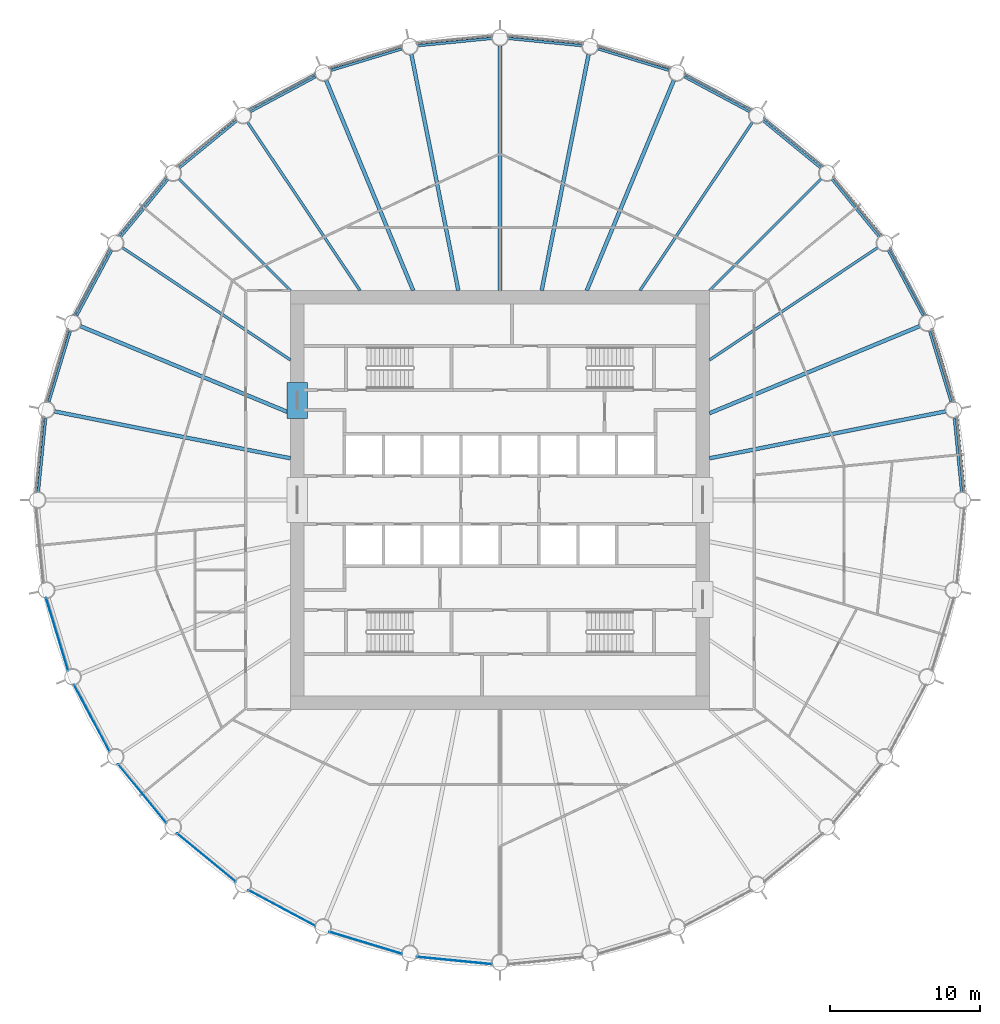
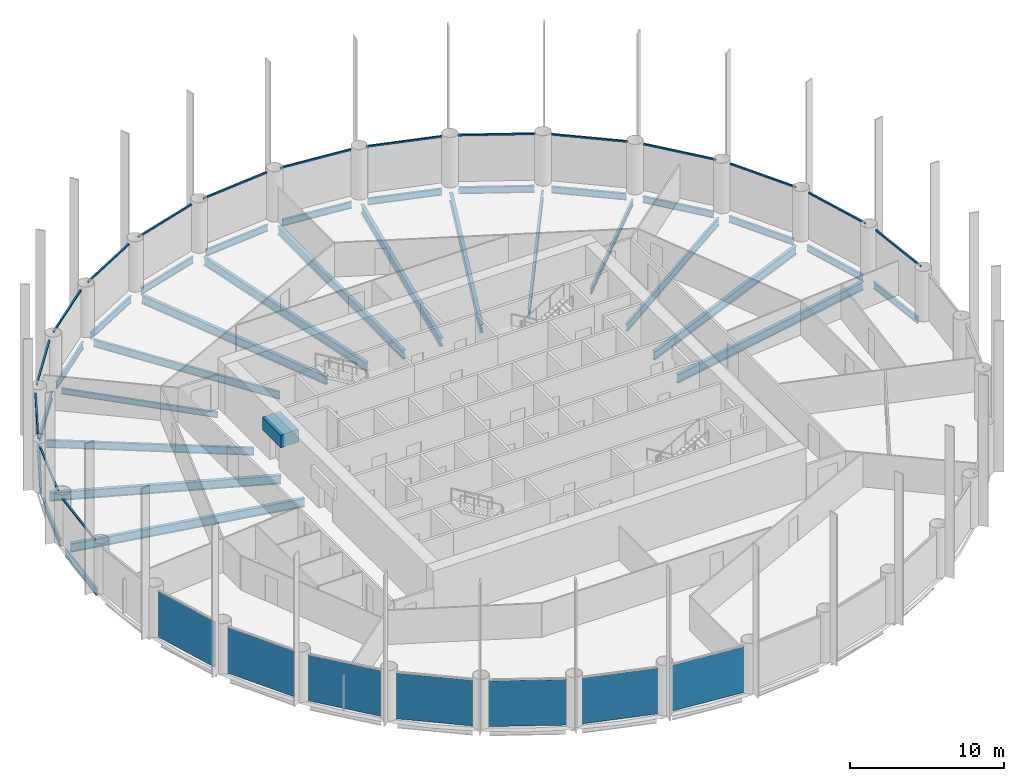
# One storey, part 2 of 8: 32 beams, 16 members, 7 plates, 23 elements without a shape of their own.
"""IFC4 building model written with IfcOpenShell, lengths in metres."""

from ifc_helpers import new_model, si_unit, direction, frame, origin, origin_2d, place, context, subcontext, project, spatial, rectangle, i_section, extrude, material, layer, layer_set, material_profile, profile_set, type_object, element, aggregate, save


model = new_model("IFC4")

# Units and contexts
model_context = context("Model", 3, precision=1e-05, world=origin(), true_north=direction((0.0, 1.0)))
body_context = subcontext(model_context, "Body", "Model", "MODEL_VIEW")
ifc_project = project(units=[si_unit("LENGTHUNIT", "METRE"), si_unit("AREAUNIT", "SQUARE_METRE"), si_unit("VOLUMEUNIT", "CUBIC_METRE"), si_unit("PLANEANGLEUNIT", "RADIAN"), si_unit("MASSUNIT", "GRAM", prefix="KILO")], contexts=[model_context])

# Site, building, storey
site_placement = place(None, origin())
site = spatial("IfcSite", under=ifc_project, at=site_placement, CompositionType="ELEMENT")
building_placement = place(site_placement, origin())
building = spatial("IfcBuilding", under=site, at=building_placement, Name="Corvane Civic Tower", CompositionType="ELEMENT")
storey_placement = place(building_placement, frame((0.0, 0.0, 176.0)))
storey = spatial("IfcBuildingStorey", under=building, at=storey_placement, Name="L41", CompositionType="ELEMENT", Elevation=176.0)

# Beams
ifc_material_1 = material(Name="Concrete C60/75", Category="concrete")
ifc_material_profile_1 = material_profile(ifc_material_1, rectangle(XDim=1.35009765625, YDim=1.0, at=origin_2d()), Name="COUPLING BEAM 1350X1000")
ifc_profile_set_1 = profile_set([ifc_material_profile_1], Name="Concrete C60/75")
beam_type_1 = type_object("IfcBeamType", Name="COUPLING BEAM COUPLING BEAM 1350X1000", PredefinedType="BEAM", material=ifc_profile_set_1)
beam_1_placement = place(storey_placement, frame((-13.550048828125, 5.449951171875, 2.60009765625), z_axis=(0.0, 1.0, 0.0), x_axis=(-1.0, 0.0, 0.0)))
element("IfcBeam", 1, at=beam_1_placement, inside=storey, type_object=beam_type_1, Name="BM-L41-cpl-CW-WN", PredefinedType="BEAM", context=body_context, shape_type="SweptSolid", body=[
    extrude(rectangle(XDim=1.35009765625, YDim=1.0, at=origin_2d()), origin(), (0.0, 0.0, 1.0), 2.400146484375),
])
ifc_material_2 = material(Name="Steel ASTM A992 Gr 50", Category="steel")
ifc_material_profile_2 = material_profile(ifc_material_2, i_section(OverallWidth=0.165771484375, OverallDepth=0.5283203125, WebThickness=0.009765625, FlangeThickness=0.013671875, at=origin_2d()), Name="W21X50")
ifc_profile_set_2 = profile_set([ifc_material_profile_2], Name="Steel ASTM A992 Gr 50")
beam_type_2 = type_object("IfcBeamType", Name="EDGE BEAM W21X50", PredefinedType="BEAM", material=ifc_profile_set_2)
beam_2_placement = place(storey_placement, frame((0.54736328125, 30.845947265625, -0.564208984375), z_axis=(0.995186236294, -0.09800181167, 0.0), x_axis=(0.09800181167, 0.995186236294, 0.0)))
element("IfcBeam", 2, at=beam_2_placement, inside=storey, type_object=beam_type_2, Name="BM-L41-E01", PredefinedType="BEAM", context=body_context, shape_type="SweptSolid", body=[
    extrude(i_section(OverallWidth=0.165771484375, OverallDepth=0.5283203125, WebThickness=0.009765625, FlangeThickness=0.013671875, at=origin_2d()), origin(), (0.0, 0.0, 1.0), 4.95751953125),
])
beam_3_placement = place(storey_placement, frame((6.5546875, 30.146484375, -0.564208984375), z_axis=(0.956944842086, -0.290269821381, 0.0), x_axis=(0.290269821381, 0.956944842086, 0.0)))
element("IfcBeam", 3, at=beam_3_placement, inside=storey, type_object=beam_type_2, Name="BM-L41-E02", PredefinedType="BEAM", context=body_context, shape_type="SweptSolid", body=[
    extrude(i_section(OverallWidth=0.165771484375, OverallDepth=0.5283203125, WebThickness=0.009765625, FlangeThickness=0.013671875, at=origin_2d()), origin(), (0.0, 0.0, 1.0), 4.957275390625),
])
for number, where, z_axis, x_axis, name in (
    (4, (12.31005859375, 28.28857421875, -0.564208984375), (0.881921784846, -0.471395763042, 0.0), (0.471395763042, 0.881921784846, 0.0), "BM-L41-E03"),
    (5, (17.59228515625, 25.343505859375, -0.564208984375), (0.77301516208, -0.634387546532, 0.0), (0.634387546532, 0.77301516208, 0.0), "BM-L41-E04"),
    (6, (22.198486328125, 21.424560546875, -0.564208984375), (0.634387546532, -0.77301516208, 0.0), (0.77301516208, 0.634387546532, 0.0), "BM-L41-E05"),
    (7, (25.95166015625, 16.68212890625, -0.564208984375), (0.471395763042, -0.881921784846, 0.0), (0.881921784846, 0.471395763042, 0.0), "BM-L41-E06"),
):
    element("IfcBeam", number, at=place(storey_placement, frame(where, z_axis=z_axis, x_axis=x_axis)), inside=storey, type_object=beam_type_2, Name=name, PredefinedType="BEAM", context=body_context, shape_type="SweptSolid", body=[
        extrude(i_section(OverallWidth=0.165771484375, OverallDepth=0.5283203125, WebThickness=0.009765625, FlangeThickness=0.013671875, at=origin_2d()), origin(), (0.0, 0.0, 1.0), 4.95751953125),
    ])
beam_4_placement = place(storey_placement, frame((28.70751953125, 11.298583984375, -0.564208984375), z_axis=(0.290269821381, -0.956944842086, 0.0), x_axis=(0.956944842086, 0.290269821381, 0.0)))
element("IfcBeam", 8, at=beam_4_placement, inside=storey, type_object=beam_type_2, Name="BM-L41-E07", PredefinedType="BEAM", context=body_context, shape_type="SweptSolid", body=[
    extrude(i_section(OverallWidth=0.165771484375, OverallDepth=0.5283203125, WebThickness=0.009765625, FlangeThickness=0.013671875, at=origin_2d()), origin(), (0.0, 0.0, 1.0), 4.957275390625),
])
for number, where, z_axis, x_axis, name in (
    (9, (30.360107421875, 5.48095703125, -0.564208984375), (0.09800181167, -0.995186236294, 0.0), (0.995186236294, 0.09800181167, 0.0), "BM-L41-E08"),
    (10, (-30.845947265625, 0.54736328125, -0.564208984375), (0.09800181167, 0.995186236294, 0.0), (-0.995186236294, 0.09800181167, 0.0), "BM-L41-E25"),
):
    element("IfcBeam", number, at=place(storey_placement, frame(where, z_axis=z_axis, x_axis=x_axis)), inside=storey, type_object=beam_type_2, Name=name, PredefinedType="BEAM", context=body_context, shape_type="SweptSolid", body=[
        extrude(i_section(OverallWidth=0.165771484375, OverallDepth=0.5283203125, WebThickness=0.009765625, FlangeThickness=0.013671875, at=origin_2d()), origin(), (0.0, 0.0, 1.0), 4.95751953125),
    ])
beam_5_placement = place(storey_placement, frame((-30.146484375, 6.5546875, -0.564208984375), z_axis=(0.290269821381, 0.956944842086, 0.0), x_axis=(-0.956944842086, 0.290269821381, 0.0)))
element("IfcBeam", 11, at=beam_5_placement, inside=storey, type_object=beam_type_2, Name="BM-L41-E26", PredefinedType="BEAM", context=body_context, shape_type="SweptSolid", body=[
    extrude(i_section(OverallWidth=0.165771484375, OverallDepth=0.5283203125, WebThickness=0.009765625, FlangeThickness=0.013671875, at=origin_2d()), origin(), (0.0, 0.0, 1.0), 4.957275390625),
])
for number, where, z_axis, x_axis, name in (
    (12, (-28.28857421875, 12.31005859375, -0.564208984375), (0.471395763042, 0.881921784846, 0.0), (-0.881921784846, 0.471395763042, 0.0), "BM-L41-E27"),
    (13, (-25.343505859375, 17.59228515625, -0.564208984375), (0.634387546532, 0.77301516208, 0.0), (-0.77301516208, 0.634387546532, 0.0), "BM-L41-E28"),
    (14, (-21.424560546875, 22.198486328125, -0.564208984375), (0.77301516208, 0.634387546532, 0.0), (-0.634387546532, 0.77301516208, 0.0), "BM-L41-E29"),
    (15, (-16.68212890625, 25.95166015625, -0.564208984375), (0.881921784846, 0.471395763042, 0.0), (-0.471395763042, 0.881921784846, 0.0), "BM-L41-E30"),
):
    element("IfcBeam", number, at=place(storey_placement, frame(where, z_axis=z_axis, x_axis=x_axis)), inside=storey, type_object=beam_type_2, Name=name, PredefinedType="BEAM", context=body_context, shape_type="SweptSolid", body=[
        extrude(i_section(OverallWidth=0.165771484375, OverallDepth=0.5283203125, WebThickness=0.009765625, FlangeThickness=0.013671875, at=origin_2d()), origin(), (0.0, 0.0, 1.0), 4.95751953125),
    ])
beam_6_placement = place(storey_placement, frame((-11.298583984375, 28.70751953125, -0.564208984375), z_axis=(0.956944842086, 0.290269821381, 0.0), x_axis=(-0.290269821381, 0.956944842086, 0.0)))
element("IfcBeam", 16, at=beam_6_placement, inside=storey, type_object=beam_type_2, Name="BM-L41-E31", PredefinedType="BEAM", context=body_context, shape_type="SweptSolid", body=[
    extrude(i_section(OverallWidth=0.165771484375, OverallDepth=0.5283203125, WebThickness=0.009765625, FlangeThickness=0.013671875, at=origin_2d()), origin(), (0.0, 0.0, 1.0), 4.957275390625),
])
beam_7_placement = place(storey_placement, frame((-5.48095703125, 30.360107421875, -0.564208984375), z_axis=(0.995186236294, 0.09800181167, 0.0), x_axis=(-0.09800181167, 0.995186236294, 0.0)))
element("IfcBeam", 17, at=beam_7_placement, inside=storey, type_object=beam_type_2, Name="BM-L41-E32", PredefinedType="BEAM", context=body_context, shape_type="SweptSolid", body=[
    extrude(i_section(OverallWidth=0.165771484375, OverallDepth=0.5283203125, WebThickness=0.009765625, FlangeThickness=0.013671875, at=origin_2d()), origin(), (0.0, 0.0, 1.0), 4.95751953125),
])
ifc_material_3 = material(Name="Steel ASTM A992 Gr 50", Category="steel")
ifc_material_profile_3 = material_profile(ifc_material_3, i_section(OverallWidth=0.15283203125, OverallDepth=0.45458984375, WebThickness=0.008056640625, FlangeThickness=0.013427734375, at=origin_2d()), Name="W18X40")
ifc_profile_set_3 = profile_set([ifc_material_profile_3], Name="Steel ASTM A992 Gr 50")
beam_type_3 = type_object("IfcBeamType", Name="FLOOR GIRDER W18X40", PredefinedType="BEAM", material=ifc_profile_set_3)
for number, where, z_axis, x_axis, name in (
    (18, (14.0, 14.0, -0.52734375), (0.707106781187, 0.707106781187, 0.0), (-0.707106781187, 0.707106781187, 0.0), "BM-L41-G05"),
    (19, (-14.0, 14.0, -0.52734375), (-0.707106781187, 0.707106781187, 0.0), (-0.707106781187, -0.707106781187, 0.0), "BM-L41-G29"),
):
    element("IfcBeam", number, at=place(storey_placement, frame(where, z_axis=z_axis, x_axis=x_axis)), inside=storey, type_object=beam_type_3, Name=name, PredefinedType="BEAM", context=body_context, shape_type="SweptSolid", body=[
        extrude(i_section(OverallWidth=0.15283203125, OverallDepth=0.45458984375, WebThickness=0.008056640625, FlangeThickness=0.013427734375, at=origin_2d()), origin(), (0.0, 0.0, 1.0), 10.551025390625),
    ])
ifc_material_4 = material(Name="Steel ASTM A992 Gr 50", Category="steel")
ifc_material_profile_4 = material_profile(ifc_material_4, i_section(OverallWidth=0.177978515625, OverallDepth=0.599365234375, WebThickness=0.010009765625, FlangeThickness=0.012939453125, at=origin_2d()), Name="W24X55")
ifc_profile_set_4 = profile_set([ifc_material_profile_4], Name="Steel ASTM A992 Gr 50")
beam_type_4 = type_object("IfcBeamType", Name="FLOOR GIRDER W24X55", PredefinedType="BEAM", material=ifc_profile_set_4)
for number, where, z_axis, x_axis, name in (
    (20, (9.3544921875, 14.0, -0.599609375), (0.555571323015, 0.83146888399, 0.0), (-0.83146888399, 0.555571323015, 0.0), "BM-L41-G04"),
    (21, (14.0, 9.3544921875, -0.599609375), (0.83146888399, 0.555571323015, 0.0), (-0.555571323015, 0.83146888399, 0.0), "BM-L41-G06"),
    (22, (-14.0, 9.3544921875, -0.599609375), (-0.83146888399, 0.555571323015, 0.0), (-0.555571323015, -0.83146888399, 0.0), "BM-L41-G28"),
    (23, (-9.3544921875, 14.0, -0.599609375), (-0.555571323015, 0.83146888399, 0.0), (-0.83146888399, -0.555571323015, 0.0), "BM-L41-G30"),
):
    element("IfcBeam", number, at=place(storey_placement, frame(where, z_axis=z_axis, x_axis=x_axis)), inside=storey, type_object=beam_type_4, Name=name, PredefinedType="BEAM", context=body_context, shape_type="SweptSolid", body=[
        extrude(i_section(OverallWidth=0.177978515625, OverallDepth=0.599365234375, WebThickness=0.010009765625, FlangeThickness=0.012939453125, at=origin_2d()), origin(), (0.0, 0.0, 1.0), 13.512451171875),
    ])
ifc_material_5 = material(Name="Steel ASTM A992 Gr 50", Category="steel")
ifc_material_profile_5 = material_profile(ifc_material_5, i_section(OverallWidth=0.25390625, OverallDepth=0.67822265625, WebThickness=0.01171875, FlangeThickness=0.016357421875, at=origin_2d()), Name="W27X84")
ifc_profile_set_5 = profile_set([ifc_material_profile_5], Name="Steel ASTM A992 Gr 50")
beam_type_5 = type_object("IfcBeamType", Name="FLOOR GIRDER W27X84", PredefinedType="BEAM", material=ifc_profile_set_5)
beam_8_placement = place(storey_placement, frame((0.0, 14.0, -0.63916015625), z_axis=(0.0, 1.0, 0.0), x_axis=(-1.0, 0.0, 0.0)))
element("IfcBeam", 24, at=beam_8_placement, inside=storey, type_object=beam_type_5, Name="BM-L41-G01", PredefinedType="BEAM", context=body_context, shape_type="SweptSolid", body=[
    extrude(i_section(OverallWidth=0.25390625, OverallDepth=0.67822265625, WebThickness=0.01171875, FlangeThickness=0.016357421875, at=origin_2d()), origin(), (0.0, 0.0, 1.0), 16.35009765625),
])
beam_9_placement = place(storey_placement, frame((2.78466796875, 14.0, -0.63916015625), z_axis=(0.195090912248, 0.980785162999, 0.0), x_axis=(-0.980785162999, 0.195090912248, 0.0)))
element("IfcBeam", 25, at=beam_9_placement, inside=storey, type_object=beam_type_5, Name="BM-L41-G02", PredefinedType="BEAM", context=body_context, shape_type="SweptSolid", body=[
    extrude(i_section(OverallWidth=0.25390625, OverallDepth=0.67822265625, WebThickness=0.01171875, FlangeThickness=0.016357421875, at=origin_2d()), origin(), (0.0, 0.0, 1.0), 16.07568359375),
])
for number, where, z_axis, x_axis, name in (
    (26, (5.799072265625, 14.0, -0.63916015625), (0.38268097323, 0.923880551114, 0.0), (-0.923880551114, 0.38268097323, 0.0), "BM-L41-G03"),
    (27, (14.0, 5.799072265625, -0.63916015625), (0.923880551114, 0.38268097323, 0.0), (-0.38268097323, 0.923880551114, 0.0), "BM-L41-G07"),
):
    element("IfcBeam", number, at=place(storey_placement, frame(where, z_axis=z_axis, x_axis=x_axis)), inside=storey, type_object=beam_type_5, Name=name, PredefinedType="BEAM", context=body_context, shape_type="SweptSolid", body=[
        extrude(i_section(OverallWidth=0.25390625, OverallDepth=0.67822265625, WebThickness=0.01171875, FlangeThickness=0.016357421875, at=origin_2d()), origin(), (0.0, 0.0, 1.0), 15.196533203125),
    ])
for number, where, z_axis, x_axis, name in (
    (28, (14.0, 2.78466796875, -0.63916015625), (0.980785162999, 0.195090912248, 0.0), (-0.195090912248, 0.980785162999, 0.0), "BM-L41-G08"),
    (29, (-14.0, 2.78466796875, -0.63916015625), (-0.980785162999, 0.195090912248, 0.0), (-0.195090912248, -0.980785162999, 0.0), "BM-L41-G26"),
):
    element("IfcBeam", number, at=place(storey_placement, frame(where, z_axis=z_axis, x_axis=x_axis)), inside=storey, type_object=beam_type_5, Name=name, PredefinedType="BEAM", context=body_context, shape_type="SweptSolid", body=[
        extrude(i_section(OverallWidth=0.25390625, OverallDepth=0.67822265625, WebThickness=0.01171875, FlangeThickness=0.016357421875, at=origin_2d()), origin(), (0.0, 0.0, 1.0), 16.07568359375),
    ])
for number, where, z_axis, x_axis, name in (
    (30, (-14.0, 5.799072265625, -0.63916015625), (-0.923880551114, 0.38268097323, 0.0), (-0.38268097323, -0.923880551114, 0.0), "BM-L41-G27"),
    (31, (-5.799072265625, 14.0, -0.63916015625), (-0.38268097323, 0.923880551114, 0.0), (-0.923880551114, -0.38268097323, 0.0), "BM-L41-G31"),
):
    element("IfcBeam", number, at=place(storey_placement, frame(where, z_axis=z_axis, x_axis=x_axis)), inside=storey, type_object=beam_type_5, Name=name, PredefinedType="BEAM", context=body_context, shape_type="SweptSolid", body=[
        extrude(i_section(OverallWidth=0.25390625, OverallDepth=0.67822265625, WebThickness=0.01171875, FlangeThickness=0.016357421875, at=origin_2d()), origin(), (0.0, 0.0, 1.0), 15.196533203125),
    ])
beam_10_placement = place(storey_placement, frame((-2.78466796875, 14.0, -0.63916015625), z_axis=(-0.195090912248, 0.980785162999, 0.0), x_axis=(-0.980785162999, -0.195090912248, 0.0)))
element("IfcBeam", 32, at=beam_10_placement, inside=storey, type_object=beam_type_5, Name="BM-L41-G32", PredefinedType="BEAM", context=body_context, shape_type="SweptSolid", body=[
    extrude(i_section(OverallWidth=0.25390625, OverallDepth=0.67822265625, WebThickness=0.01171875, FlangeThickness=0.016357421875, at=origin_2d()), origin(), (0.0, 0.0, 1.0), 16.07568359375),
])

# Curtain wall, member
ifc_material_6 = material(Name="Anodised aluminium bronze", Category="aluminium")
curtain_wall_type = type_object("IfcCurtainWallType", Name="TOWER CW-T2 STICK CURTAIN WALL", PredefinedType="NOTDEFINED", material=ifc_material_6)
curtain_wall_1_placement = place(storey_placement, origin())
curtain_wall_1 = element("IfcCurtainWall", 33, at=curtain_wall_1_placement, inside=storey, type_object=curtain_wall_type, Name="Curtain wall CW-T2 L41 bay 01", PredefinedType="NOTDEFINED")
ifc_material_7 = material(Name="Anodised aluminium bronze", Category="aluminium")
ifc_material_profile_6 = material_profile(ifc_material_7, rectangle(XDim=0.1201171875, YDim=0.1201171875, at=origin_2d()), Name="TOWER CW-T2 TRANSOM 120x120")
ifc_profile_set_6 = profile_set([ifc_material_profile_6], Name="Anodised aluminium bronze")
member_type = type_object("IfcMemberType", Name="TOWER CW-T2 TRANSOM 120x120", PredefinedType="USERDEFINED", material=ifc_profile_set_6)
member_1_placement = place(storey_placement, frame((0.505126953125, 31.0302734375, 3.68994140625), z_axis=(0.995187423416, -0.097989755963, 0.0), x_axis=(0.097989755963, 0.995187423416, 0.0)))
member_1 = element("IfcMember", 34, at=member_1_placement, type_object=member_type, Name="Transom CW-T2 L41 01.1", ObjectType="TRANSOM", PredefinedType="USERDEFINED", context=body_context, shape_type="SweptSolid", body=[
    extrude(rectangle(XDim=0.1201171875, YDim=0.1201171875, at=origin_2d()), origin(), (0.0, 0.0, 1.0), 5.07763671875),
])
aggregate(curtain_wall_1, [member_1])

curtain_wall_2_placement = place(storey_placement, origin())
curtain_wall_2 = element("IfcCurtainWall", 35, at=curtain_wall_2_placement, inside=storey, type_object=curtain_wall_type, Name="Curtain wall CW-T2 L41 bay 02", PredefinedType="NOTDEFINED")
member_2_placement = place(storey_placement, frame((6.54931640625, 30.33544921875, 3.68994140625), z_axis=(0.956939031389, -0.290288977061, 0.0), x_axis=(0.290288977061, 0.956939031389, 0.0)))
member_2 = element("IfcMember", 36, at=member_2_placement, type_object=member_type, Name="Transom CW-T2 L41 02.1", ObjectType="TRANSOM", PredefinedType="USERDEFINED", context=body_context, shape_type="SweptSolid", body=[
    extrude(rectangle(XDim=0.1201171875, YDim=0.1201171875, at=origin_2d()), origin(), (0.0, 0.0, 1.0), 5.077392578125),
])
aggregate(curtain_wall_2, [member_2])

curtain_wall_3_placement = place(storey_placement, origin())
curtain_wall_3 = element("IfcCurtainWall", 37, at=curtain_wall_3_placement, inside=storey, type_object=curtain_wall_type, Name="Curtain wall CW-T2 L41 bay 03", PredefinedType="NOTDEFINED")
member_3_placement = place(storey_placement, frame((12.341552734375, 28.474853515625, 3.68994140625), z_axis=(0.881921329426, -0.471396615074, 0.0), x_axis=(0.471396615074, 0.881921329426, 0.0)))
member_3 = element("IfcMember", 38, at=member_3_placement, type_object=member_type, Name="Transom CW-T2 L41 03.1", ObjectType="TRANSOM", PredefinedType="USERDEFINED", context=body_context, shape_type="SweptSolid", body=[
    extrude(rectangle(XDim=0.1201171875, YDim=0.1201171875, at=origin_2d()), origin(), (0.0, 0.0, 1.0), 5.07763671875),
])
aggregate(curtain_wall_3, [member_3])

curtain_wall_4_placement = place(storey_placement, origin())
curtain_wall_4 = element("IfcCurtainWall", 39, at=curtain_wall_4_placement, inside=storey, type_object=curtain_wall_type, Name="Curtain wall CW-T2 L41 bay 04", PredefinedType="NOTDEFINED")
member_4_placement = place(storey_placement, frame((17.65966796875, 25.519775390625, 3.68994140625), z_axis=(0.773015929719, -0.634386611146, 0.0), x_axis=(0.634386611146, 0.773015929719, 0.0)))
member_4 = element("IfcMember", 40, at=member_4_placement, type_object=member_type, Name="Transom CW-T2 L41 04.1", ObjectType="TRANSOM", PredefinedType="USERDEFINED", context=body_context, shape_type="SweptSolid", body=[
    extrude(rectangle(XDim=0.1201171875, YDim=0.1201171875, at=origin_2d()), origin(), (0.0, 0.0, 1.0), 5.0771484375),
])
aggregate(curtain_wall_4, [member_4])

curtain_wall_5_placement = place(storey_placement, origin())
curtain_wall_5 = element("IfcCurtainWall", 41, at=curtain_wall_5_placement, inside=storey, type_object=curtain_wall_type, Name="Curtain wall CW-T2 L41 bay 05", PredefinedType="NOTDEFINED")
member_5_placement = place(storey_placement, frame((22.298828125, 21.58447265625, 3.68994140625), z_axis=(0.634386611146, -0.773015929719, 0.0), x_axis=(0.773015929719, 0.634386611146, 0.0)))
member_5 = element("IfcMember", 42, at=member_5_placement, type_object=member_type, Name="Transom CW-T2 L41 05.1", ObjectType="TRANSOM", PredefinedType="USERDEFINED", context=body_context, shape_type="SweptSolid", body=[
    extrude(rectangle(XDim=0.1201171875, YDim=0.1201171875, at=origin_2d()), origin(), (0.0, 0.0, 1.0), 5.0771484375),
])
aggregate(curtain_wall_5, [member_5])

curtain_wall_6_placement = place(storey_placement, origin())
curtain_wall_6 = element("IfcCurtainWall", 43, at=curtain_wall_6_placement, inside=storey, type_object=curtain_wall_type, Name="Curtain wall CW-T2 L41 bay 06", PredefinedType="NOTDEFINED")
member_6_placement = place(storey_placement, frame((26.081298828125, 16.819580078125, 3.68994140625), z_axis=(0.471396615074, -0.881921329426, 0.0), x_axis=(0.881921329426, 0.471396615074, 0.0)))
member_6 = element("IfcMember", 44, at=member_6_placement, type_object=member_type, Name="Transom CW-T2 L41 06.1", ObjectType="TRANSOM", PredefinedType="USERDEFINED", context=body_context, shape_type="SweptSolid", body=[
    extrude(rectangle(XDim=0.1201171875, YDim=0.1201171875, at=origin_2d()), origin(), (0.0, 0.0, 1.0), 5.07763671875),
])
aggregate(curtain_wall_6, [member_6])

curtain_wall_7_placement = place(storey_placement, origin())
curtain_wall_7 = element("IfcCurtainWall", 45, at=curtain_wall_7_placement, inside=storey, type_object=curtain_wall_type, Name="Curtain wall CW-T2 L41 bay 07", PredefinedType="NOTDEFINED")
member_7_placement = place(storey_placement, frame((28.861572265625, 11.407958984375, 3.68994140625), z_axis=(0.290288977061, -0.956939031389, 0.0), x_axis=(0.956939031389, 0.290288977061, 0.0)))
member_7 = element("IfcMember", 46, at=member_7_placement, type_object=member_type, Name="Transom CW-T2 L41 07.1", ObjectType="TRANSOM", PredefinedType="USERDEFINED", context=body_context, shape_type="SweptSolid", body=[
    extrude(rectangle(XDim=0.1201171875, YDim=0.1201171875, at=origin_2d()), origin(), (0.0, 0.0, 1.0), 5.077392578125),
])
aggregate(curtain_wall_7, [member_7])

curtain_wall_8_placement = place(storey_placement, origin())
curtain_wall_8 = element("IfcCurtainWall", 47, at=curtain_wall_8_placement, inside=storey, type_object=curtain_wall_type, Name="Curtain wall CW-T2 L41 bay 08", PredefinedType="NOTDEFINED")
member_8_placement = place(storey_placement, frame((30.53271484375, 5.558349609375, 3.68994140625), z_axis=(0.097989755963, -0.995187423416, 0.0), x_axis=(0.995187423416, 0.097989755963, 0.0)))
member_8 = element("IfcMember", 48, at=member_8_placement, type_object=member_type, Name="Transom CW-T2 L41 08.1", ObjectType="TRANSOM", PredefinedType="USERDEFINED", context=body_context, shape_type="SweptSolid", body=[
    extrude(rectangle(XDim=0.1201171875, YDim=0.1201171875, at=origin_2d()), origin(), (0.0, 0.0, 1.0), 5.07763671875),
])
aggregate(curtain_wall_8, [member_8])

curtain_wall_9_placement = place(storey_placement, origin())
curtain_wall_9 = element("IfcCurtainWall", 49, at=curtain_wall_9_placement, inside=storey, type_object=curtain_wall_type, Name="Curtain wall CW-T2 L41 bay 25", PredefinedType="NOTDEFINED")
member_9_placement = place(storey_placement, frame((-31.0302734375, 0.505126953125, 3.68994140625), z_axis=(0.097989755963, 0.995187423416, 0.0), x_axis=(-0.995187423416, 0.097989755963, 0.0)))
member_9 = element("IfcMember", 50, at=member_9_placement, type_object=member_type, Name="Transom CW-T2 L41 25.1", ObjectType="TRANSOM", PredefinedType="USERDEFINED", context=body_context, shape_type="SweptSolid", body=[
    extrude(rectangle(XDim=0.1201171875, YDim=0.1201171875, at=origin_2d()), origin(), (0.0, 0.0, 1.0), 5.07763671875),
])
aggregate(curtain_wall_9, [member_9])

curtain_wall_10_placement = place(storey_placement, origin())
curtain_wall_10 = element("IfcCurtainWall", 51, at=curtain_wall_10_placement, inside=storey, type_object=curtain_wall_type, Name="Curtain wall CW-T2 L41 bay 26", PredefinedType="NOTDEFINED")
member_10_placement = place(storey_placement, frame((-30.33544921875, 6.54931640625, 3.68994140625), z_axis=(0.290288977061, 0.956939031389, 0.0), x_axis=(-0.956939031389, 0.290288977061, 0.0)))
member_10 = element("IfcMember", 52, at=member_10_placement, type_object=member_type, Name="Transom CW-T2 L41 26.1", ObjectType="TRANSOM", PredefinedType="USERDEFINED", context=body_context, shape_type="SweptSolid", body=[
    extrude(rectangle(XDim=0.1201171875, YDim=0.1201171875, at=origin_2d()), origin(), (0.0, 0.0, 1.0), 5.077392578125),
])
aggregate(curtain_wall_10, [member_10])

curtain_wall_11_placement = place(storey_placement, origin())
curtain_wall_11 = element("IfcCurtainWall", 53, at=curtain_wall_11_placement, inside=storey, type_object=curtain_wall_type, Name="Curtain wall CW-T2 L41 bay 27", PredefinedType="NOTDEFINED")
member_11_placement = place(storey_placement, frame((-28.474853515625, 12.341552734375, 3.68994140625), z_axis=(0.471396615074, 0.881921329426, 0.0), x_axis=(-0.881921329426, 0.471396615074, 0.0)))
member_11 = element("IfcMember", 54, at=member_11_placement, type_object=member_type, Name="Transom CW-T2 L41 27.1", ObjectType="TRANSOM", PredefinedType="USERDEFINED", context=body_context, shape_type="SweptSolid", body=[
    extrude(rectangle(XDim=0.1201171875, YDim=0.1201171875, at=origin_2d()), origin(), (0.0, 0.0, 1.0), 5.07763671875),
])
aggregate(curtain_wall_11, [member_11])

curtain_wall_12_placement = place(storey_placement, origin())
curtain_wall_12 = element("IfcCurtainWall", 55, at=curtain_wall_12_placement, inside=storey, type_object=curtain_wall_type, Name="Curtain wall CW-T2 L41 bay 28", PredefinedType="NOTDEFINED")
member_12_placement = place(storey_placement, frame((-25.519775390625, 17.65966796875, 3.68994140625), z_axis=(0.634386611146, 0.773015929719, 0.0), x_axis=(-0.773015929719, 0.634386611146, 0.0)))
member_12 = element("IfcMember", 56, at=member_12_placement, type_object=member_type, Name="Transom CW-T2 L41 28.1", ObjectType="TRANSOM", PredefinedType="USERDEFINED", context=body_context, shape_type="SweptSolid", body=[
    extrude(rectangle(XDim=0.1201171875, YDim=0.1201171875, at=origin_2d()), origin(), (0.0, 0.0, 1.0), 5.0771484375),
])
aggregate(curtain_wall_12, [member_12])

curtain_wall_13_placement = place(storey_placement, origin())
curtain_wall_13 = element("IfcCurtainWall", 57, at=curtain_wall_13_placement, inside=storey, type_object=curtain_wall_type, Name="Curtain wall CW-T2 L41 bay 29", PredefinedType="NOTDEFINED")
member_13_placement = place(storey_placement, frame((-21.58447265625, 22.298828125, 3.68994140625), z_axis=(0.773015929719, 0.634386611146, 0.0), x_axis=(-0.634386611146, 0.773015929719, 0.0)))
member_13 = element("IfcMember", 58, at=member_13_placement, type_object=member_type, Name="Transom CW-T2 L41 29.1", ObjectType="TRANSOM", PredefinedType="USERDEFINED", context=body_context, shape_type="SweptSolid", body=[
    extrude(rectangle(XDim=0.1201171875, YDim=0.1201171875, at=origin_2d()), origin(), (0.0, 0.0, 1.0), 5.0771484375),
])
aggregate(curtain_wall_13, [member_13])

curtain_wall_14_placement = place(storey_placement, origin())
curtain_wall_14 = element("IfcCurtainWall", 59, at=curtain_wall_14_placement, inside=storey, type_object=curtain_wall_type, Name="Curtain wall CW-T2 L41 bay 30", PredefinedType="NOTDEFINED")
member_14_placement = place(storey_placement, frame((-16.819580078125, 26.081298828125, 3.68994140625), z_axis=(0.881921329426, 0.471396615074, 0.0), x_axis=(-0.471396615074, 0.881921329426, 0.0)))
member_14 = element("IfcMember", 60, at=member_14_placement, type_object=member_type, Name="Transom CW-T2 L41 30.1", ObjectType="TRANSOM", PredefinedType="USERDEFINED", context=body_context, shape_type="SweptSolid", body=[
    extrude(rectangle(XDim=0.1201171875, YDim=0.1201171875, at=origin_2d()), origin(), (0.0, 0.0, 1.0), 5.07763671875),
])
aggregate(curtain_wall_14, [member_14])

curtain_wall_15_placement = place(storey_placement, origin())
curtain_wall_15 = element("IfcCurtainWall", 61, at=curtain_wall_15_placement, inside=storey, type_object=curtain_wall_type, Name="Curtain wall CW-T2 L41 bay 31", PredefinedType="NOTDEFINED")
member_15_placement = place(storey_placement, frame((-11.407958984375, 28.861572265625, 3.68994140625), z_axis=(0.956939031389, 0.290288977061, 0.0), x_axis=(-0.290288977061, 0.956939031389, 0.0)))
member_15 = element("IfcMember", 62, at=member_15_placement, type_object=member_type, Name="Transom CW-T2 L41 31.1", ObjectType="TRANSOM", PredefinedType="USERDEFINED", context=body_context, shape_type="SweptSolid", body=[
    extrude(rectangle(XDim=0.1201171875, YDim=0.1201171875, at=origin_2d()), origin(), (0.0, 0.0, 1.0), 5.077392578125),
])
aggregate(curtain_wall_15, [member_15])

curtain_wall_16_placement = place(storey_placement, origin())
curtain_wall_16 = element("IfcCurtainWall", 63, at=curtain_wall_16_placement, inside=storey, type_object=curtain_wall_type, Name="Curtain wall CW-T2 L41 bay 32", PredefinedType="NOTDEFINED")
member_16_placement = place(storey_placement, frame((-5.558349609375, 30.53271484375, 3.68994140625), z_axis=(0.995187423416, 0.097989755963, 0.0), x_axis=(-0.097989755963, 0.995187423416, 0.0)))
member_16 = element("IfcMember", 64, at=member_16_placement, type_object=member_type, Name="Transom CW-T2 L41 32.1", ObjectType="TRANSOM", PredefinedType="USERDEFINED", context=body_context, shape_type="SweptSolid", body=[
    extrude(rectangle(XDim=0.1201171875, YDim=0.1201171875, at=origin_2d()), origin(), (0.0, 0.0, 1.0), 5.07763671875),
])
aggregate(curtain_wall_16, [member_16])

# Curtain wall, plate
curtain_wall_17_placement = place(storey_placement, origin())
curtain_wall_17 = element("IfcCurtainWall", 65, at=curtain_wall_17_placement, inside=storey, type_object=curtain_wall_type, Name="Curtain wall CW-T2 L41 bay 17", PredefinedType="NOTDEFINED")
ifc_material_8 = material(Name="Tinted glass", Category="glass")
ifc_layer = layer(ifc_material_8, 0.031982421875)
ifc_layer_set = layer_set([ifc_layer], Name="Tinted glass")
plate_type = type_object("IfcPlateType", Name="TOWER CW-T2 PANEL IGU32", PredefinedType="CURTAIN_PANEL", material=ifc_layer_set)
plate_1_placement = place(storey_placement, frame((-3.03173828125, -30.781494140625, 0.0), z_axis=(0.0, 0.0, 1.0), x_axis=(-0.995185244531, 0.098011882274, 0.0)))
plate_1 = element("IfcPlate", 66, at=plate_1_placement, type_object=plate_type, Name="Glass panel CW-T2 L41 17.1", PredefinedType="CURTAIN_PANEL", context=body_context, shape_type="SweptSolid", body=[
    extrude(rectangle(XDim=5.07763671875, YDim=0.031982421875, at=origin_2d()), origin(), (0.0, 0.0, 1.0), 3.6298828125),
])
aggregate(curtain_wall_17, [plate_1])

curtain_wall_18_placement = place(storey_placement, origin())
curtain_wall_18 = element("IfcCurtainWall", 67, at=curtain_wall_18_placement, inside=storey, type_object=curtain_wall_type, Name="Curtain wall CW-T2 L41 bay 18", PredefinedType="NOTDEFINED")
plate_2_placement = place(storey_placement, frame((-8.978515625, -29.5986328125, 0.0), z_axis=(0.0, 0.0, 1.0), x_axis=(-0.956931677007, 0.290313219714, 0.0)))
plate_2 = element("IfcPlate", 68, at=plate_2_placement, type_object=plate_type, Name="Glass panel CW-T2 L41 18.1", PredefinedType="CURTAIN_PANEL", context=body_context, shape_type="SweptSolid", body=[
    extrude(rectangle(XDim=5.077392578125, YDim=0.031982421875, at=origin_2d()), origin(), (0.0, 0.0, 1.0), 3.6298828125),
])
aggregate(curtain_wall_18, [plate_2])

curtain_wall_19_placement = place(storey_placement, origin())
curtain_wall_19 = element("IfcCurtainWall", 69, at=curtain_wall_19_placement, inside=storey, type_object=curtain_wall_type, Name="Curtain wall CW-T2 L41 bay 19", PredefinedType="NOTDEFINED")
plate_3_placement = place(storey_placement, frame((-14.58056640625, -27.278076171875, 0.0), z_axis=(0.0, 0.0, 1.0), x_axis=(-0.881922190434, 0.471395004238, 0.0)))
plate_3 = element("IfcPlate", 70, at=plate_3_placement, type_object=plate_type, Name="Glass panel CW-T2 L41 19.1", PredefinedType="CURTAIN_PANEL", context=body_context, shape_type="SweptSolid", body=[
    extrude(rectangle(XDim=5.077392578125, YDim=0.031982421875, at=origin_2d()), origin(), (0.0, 0.0, 1.0), 3.6298828125),
])
aggregate(curtain_wall_19, [plate_3])

curtain_wall_20_placement = place(storey_placement, origin())
curtain_wall_20 = element("IfcCurtainWall", 71, at=curtain_wall_20_placement, inside=storey, type_object=curtain_wall_type, Name="Curtain wall CW-T2 L41 bay 20", PredefinedType="NOTDEFINED")
plate_4_placement = place(storey_placement, frame((-19.6220703125, -23.909423828125, 0.0), z_axis=(0.0, 0.0, 1.0), x_axis=(-0.773004844196, 0.634400118891, 0.0)))
plate_4 = element("IfcPlate", 72, at=plate_4_placement, type_object=plate_type, Name="Glass panel CW-T2 L41 20.1", PredefinedType="CURTAIN_PANEL", context=body_context, shape_type="SweptSolid", body=[
    extrude(rectangle(XDim=5.0771484375, YDim=0.031982421875, at=origin_2d()), origin(), (0.0, 0.0, 1.0), 3.6298828125),
])
aggregate(curtain_wall_20, [plate_4])

curtain_wall_21_placement = place(storey_placement, origin())
curtain_wall_21 = element("IfcCurtainWall", 73, at=curtain_wall_21_placement, inside=storey, type_object=curtain_wall_type, Name="Curtain wall CW-T2 L41 bay 21", PredefinedType="NOTDEFINED")
plate_5_placement = place(storey_placement, frame((-23.909423828125, -19.6220703125, 0.0), z_axis=(0.0, 0.0, 1.0), x_axis=(-0.634400118891, 0.773004844196, 0.0)))
plate_5 = element("IfcPlate", 74, at=plate_5_placement, type_object=plate_type, Name="Glass panel CW-T2 L41 21.1", PredefinedType="CURTAIN_PANEL", context=body_context, shape_type="SweptSolid", body=[
    extrude(rectangle(XDim=5.0771484375, YDim=0.031982421875, at=origin_2d()), origin(), (0.0, 0.0, 1.0), 3.6298828125),
])
aggregate(curtain_wall_21, [plate_5])

curtain_wall_22_placement = place(storey_placement, origin())
curtain_wall_22 = element("IfcCurtainWall", 75, at=curtain_wall_22_placement, inside=storey, type_object=curtain_wall_type, Name="Curtain wall CW-T2 L41 bay 22", PredefinedType="NOTDEFINED")
plate_6_placement = place(storey_placement, frame((-27.278076171875, -14.58056640625, 0.0), z_axis=(0.0, 0.0, 1.0), x_axis=(-0.471395004238, 0.881922190434, 0.0)))
plate_6 = element("IfcPlate", 76, at=plate_6_placement, type_object=plate_type, Name="Glass panel CW-T2 L41 22.1", PredefinedType="CURTAIN_PANEL", context=body_context, shape_type="SweptSolid", body=[
    extrude(rectangle(XDim=5.077392578125, YDim=0.031982421875, at=origin_2d()), origin(), (0.0, 0.0, 1.0), 3.6298828125),
])
aggregate(curtain_wall_22, [plate_6])

curtain_wall_23_placement = place(storey_placement, origin())
curtain_wall_23 = element("IfcCurtainWall", 77, at=curtain_wall_23_placement, inside=storey, type_object=curtain_wall_type, Name="Curtain wall CW-T2 L41 bay 23", PredefinedType="NOTDEFINED")
plate_7_placement = place(storey_placement, frame((-29.5986328125, -8.978515625, 0.0), z_axis=(0.0, 0.0, 1.0), x_axis=(-0.290313219714, 0.956931677007, 0.0)))
plate_7 = element("IfcPlate", 78, at=plate_7_placement, type_object=plate_type, Name="Glass panel CW-T2 L41 23.1", PredefinedType="CURTAIN_PANEL", context=body_context, shape_type="SweptSolid", body=[
    extrude(rectangle(XDim=5.077392578125, YDim=0.031982421875, at=origin_2d()), origin(), (0.0, 0.0, 1.0), 3.6298828125),
])
aggregate(curtain_wall_23, [plate_7])

save(model, "model.ifc")
